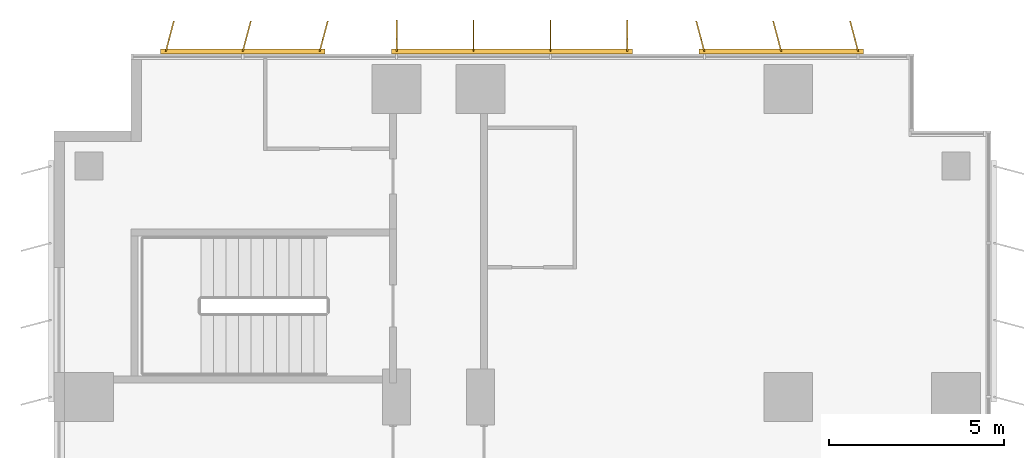
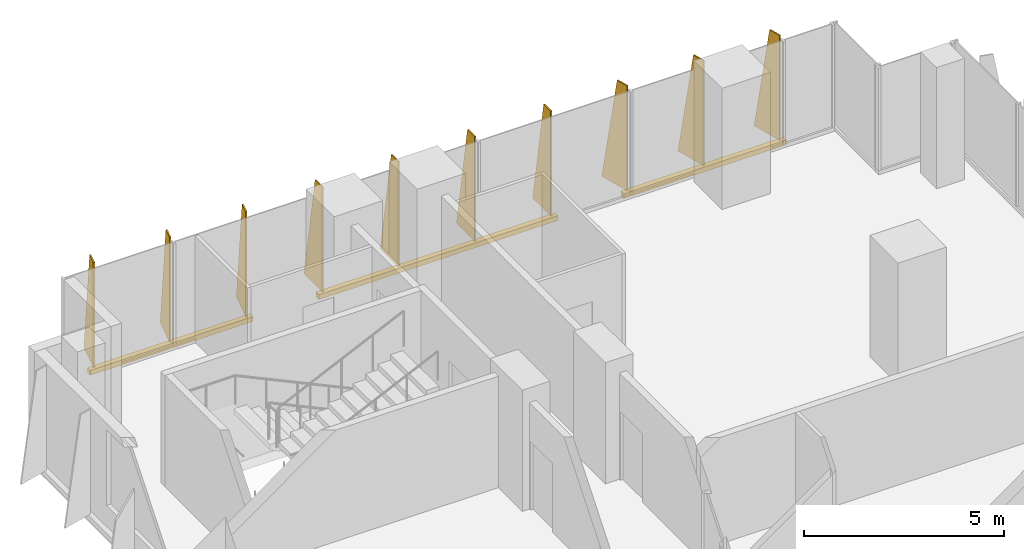
# One storey, part 24 of 24: 3 shading devices.
"""IFC4 building model written with IfcOpenShell, lengths in metres."""

from ifc_helpers import new_model, si_unit, direction, frame, origin, origin_2d, place, context, subcontext, project, spatial, polyline, rectangle, outline, extrude, source, transform, mapped, material, layer, layer_set, type_object, element, save


model = new_model("IFC4")

# Units and contexts
model_context = context("Model", 3, precision=1e-05, world=origin(), true_north=direction((0.0, 1.0)))
body_context = subcontext(model_context, "Body", "Model", "MODEL_VIEW")
ifc_project = project(units=[si_unit("LENGTHUNIT", "METRE"), si_unit("AREAUNIT", "SQUARE_METRE"), si_unit("VOLUMEUNIT", "CUBIC_METRE"), si_unit("PLANEANGLEUNIT", "RADIAN"), si_unit("MASSUNIT", "GRAM", prefix="KILO")], contexts=[model_context])

# Site, building, storey
site_placement = place(None, origin())
site = spatial("IfcSite", under=ifc_project, at=site_placement, CompositionType="ELEMENT")
building_placement = place(site_placement, origin())
building = spatial("IfcBuilding", under=site, at=building_placement, Name="Kemantara Hotel Tower", CompositionType="ELEMENT")
storey_placement = place(building_placement, frame((0.0, 0.0, 79.699951171875)))
storey = spatial("IfcBuildingStorey", under=building, at=storey_placement, Name="L18", CompositionType="ELEMENT", Elevation=79.699951171875)

# Shading devices
ifc_material = material(Name="Perforated aluminium plate 4 mm bronze anodised", Category="aluminium")
ifc_layer_1 = layer(ifc_material, 0.0400390625)
ifc_layer_set_1 = layer_set([ifc_layer_1], Name="Perforated aluminium plate 4 mm bronze anodised")
shading_device_type_1 = type_object("IfcShadingDeviceType", Name="SCREEN FIN CASSETTE, 3 BLADES AT -15.0 DEG, 3200 HIGH", PredefinedType="USERDEFINED", material=ifc_layer_set_1)
shared_shape_1 = source(origin(), body_context, "Body", "SweptSolid", [
    extrude(rectangle(XDim=4.699951171875, YDim=0.14990234375, at=origin_2d()), frame((2.199951171875, -0.074951171875, -0.14990234375), z_axis=(0.0, 0.0, 1.0), x_axis=(1.0, 0.0, 0.0)), (0.0, 0.0, 1.0), 0.14990234375),
    extrude(outline(polyline([(0.0, 0.0), (0.89990234375, 0.0), (0.35009765625, 3.199951171875), (0.0, 3.199951171875), (0.0, 0.0)])), frame((0.019287109375, -0.080078125, 0.0), z_axis=(-0.966437683387, 0.256901156343, 0.0), x_axis=(-0.256901156343, -0.966437683387, 0.0)), (0.0, 0.0, 1.0), 0.039794921875),
    extrude(outline(polyline([(0.0, 0.0), (0.89990234375, 0.0), (0.35009765625, 3.199951171875), (0.0, 3.199951171875), (0.0, 0.0)])), frame((2.21923828125, -0.080078125, 0.0), z_axis=(-0.966437683387, 0.256901156343, 0.0), x_axis=(-0.256901156343, -0.966437683387, 0.0)), (0.0, 0.0, 1.0), 0.039794921875),
    extrude(outline(polyline([(0.0, 0.0), (0.89990234375, 0.0), (0.35009765625, 3.199951171875), (0.0, 3.199951171875), (0.0, 0.0)])), frame((4.41943359375, -0.080078125, 0.0), z_axis=(-0.966837822169, 0.255391122837, 0.0), x_axis=(-0.255391122837, -0.966837822169, 0.0)), (0.0, 0.0, 1.0), 0.0400390625),
])
shading_device_1_placement = place(storey_placement, frame((7.60009765625, 81.199951171875, 0.10009765625), z_axis=(0.0, 0.0, 1.0), x_axis=(-1.0, 0.0, 0.0)))
element("IfcShadingDevice", 1, at=shading_device_1_placement, inside=storey, type_object=shading_device_type_1, Name="SCREEN FIN CASSETTE L18 T1-R11-3", ObjectType="SCREEN FIN", PredefinedType="USERDEFINED", context=body_context, shape_type="MappedRepresentation", body=[
    mapped(shared_shape_1, transform((0.0, 0.0, 0.0))),
])
ifc_layer_2 = layer(ifc_material, 0.0400390625)
ifc_layer_set_2 = layer_set([ifc_layer_2], Name="Perforated aluminium plate 4 mm bronze anodised")
shading_device_type_2 = type_object("IfcShadingDeviceType", Name="SCREEN FIN CASSETTE, 4 BLADES AT +0.0 DEG, 3200 HIGH", PredefinedType="USERDEFINED", material=ifc_layer_set_2)
shared_shape_2 = source(origin(), body_context, "Body", "SweptSolid", [
    extrude(rectangle(XDim=6.89990234375, YDim=0.14990234375, at=origin_2d()), frame((3.300048828125, -0.074951171875, -0.14990234375), z_axis=(0.0, 0.0, 1.0), x_axis=(1.0, 0.0, 0.0)), (0.0, 0.0, 1.0), 0.14990234375),
    extrude(outline(polyline([(0.0, 0.0), (0.89990234375, 0.0), (0.35009765625, 3.199951171875), (0.0, 3.199951171875), (0.0, 0.0)])), frame((0.02001953125, -0.074951171875, 0.0), z_axis=(-1.0, 0.0, 0.0), x_axis=(0.0, -1.0, 0.0)), (0.0, 0.0, 1.0), 0.0400390625),
    extrude(outline(polyline([(0.0, 0.0), (0.89990234375, 0.0), (0.35009765625, 3.199951171875), (0.0, 3.199951171875), (0.0, 0.0)])), frame((2.219970703125, -0.074951171875, 0.0), z_axis=(-1.0, 0.0, 0.0), x_axis=(0.0, -1.0, 0.0)), (0.0, 0.0, 1.0), 0.0400390625),
    extrude(outline(polyline([(0.0, 0.0), (0.89990234375, 0.0), (0.35009765625, 3.199951171875), (0.0, 3.199951171875), (0.0, 0.0)])), frame((4.419921875, -0.074951171875, 0.0), z_axis=(-1.0, 0.0, 0.0), x_axis=(0.0, -1.0, 0.0)), (0.0, 0.0, 1.0), 0.0400390625),
    extrude(outline(polyline([(0.0, 0.0), (0.89990234375, 0.0), (0.35009765625, 3.199951171875), (0.0, 3.199951171875), (0.0, 0.0)])), frame((6.6201171875, -0.074951171875, 0.0), z_axis=(-1.0, 0.0, 0.0), x_axis=(0.0, -1.0, 0.0)), (0.0, 0.0, 1.0), 0.0400390625),
])
shading_device_2_placement = place(storey_placement, frame((16.39990234375, 81.199951171875, 0.10009765625), z_axis=(0.0, 0.0, 1.0), x_axis=(-1.0, 0.0, 0.0)))
element("IfcShadingDevice", 2, at=shading_device_2_placement, inside=storey, type_object=shading_device_type_2, Name="SCREEN FIN CASSETTE L18 T1-R11-2", ObjectType="SCREEN FIN", PredefinedType="USERDEFINED", context=body_context, shape_type="MappedRepresentation", body=[
    mapped(shared_shape_2, transform((0.0, 0.0, 0.0))),
])
ifc_layer_3 = layer(ifc_material, 0.0400390625)
ifc_layer_set_3 = layer_set([ifc_layer_3], Name="Perforated aluminium plate 4 mm bronze anodised")
shading_device_type_3 = type_object("IfcShadingDeviceType", Name="SCREEN FIN CASSETTE, 3 BLADES AT +15.0 DEG, 3200 HIGH", PredefinedType="USERDEFINED", material=ifc_layer_set_3)
shared_shape_3 = source(origin(), body_context, "Body", "SweptSolid", [
    extrude(rectangle(XDim=4.699951171875, YDim=0.14990234375, at=origin_2d()), frame((2.199951171875, -0.074951171875, -0.14990234375), z_axis=(0.0, 0.0, 1.0), x_axis=(1.0, 0.0, 0.0)), (0.0, 0.0, 1.0), 0.14990234375),
    extrude(outline(polyline([(0.0, 0.0), (0.89990234375, 0.0), (0.35009765625, 3.199951171875), (0.0, 3.199951171875), (0.0, 0.0)])), frame((0.019287109375, -0.06982421875, 0.0), z_axis=(-0.966437683387, -0.256901156343, 0.0), x_axis=(0.256901156343, -0.966437683387, 0.0)), (0.0, 0.0, 1.0), 0.039794921875),
    extrude(outline(polyline([(0.0, 0.0), (0.89990234375, 0.0), (0.35009765625, 3.199951171875), (0.0, 3.199951171875), (0.0, 0.0)])), frame((2.21923828125, -0.06982421875, 0.0), z_axis=(-0.966437683387, -0.256901156343, 0.0), x_axis=(0.256901156343, -0.966437683387, 0.0)), (0.0, 0.0, 1.0), 0.039794921875),
    extrude(outline(polyline([(0.0, 0.0), (0.89990234375, 0.0), (0.35009765625, 3.199951171875), (0.0, 3.199951171875), (0.0, 0.0)])), frame((4.41943359375, -0.06982421875, 0.0), z_axis=(-0.966837822169, -0.255391122837, 0.0), x_axis=(0.255391122837, -0.966837822169, 0.0)), (0.0, 0.0, 1.0), 0.0400390625),
])
shading_device_3_placement = place(storey_placement, frame((23.0, 81.199951171875, 0.10009765625), z_axis=(0.0, 0.0, 1.0), x_axis=(-1.0, 0.0, 0.0)))
element("IfcShadingDevice", 3, at=shading_device_3_placement, inside=storey, type_object=shading_device_type_3, Name="SCREEN FIN CASSETTE L18 T1-R11-1", ObjectType="SCREEN FIN", PredefinedType="USERDEFINED", context=body_context, shape_type="MappedRepresentation", body=[
    mapped(shared_shape_3, transform((0.0, 0.0, 0.0))),
])

save(model, "model.ifc")
